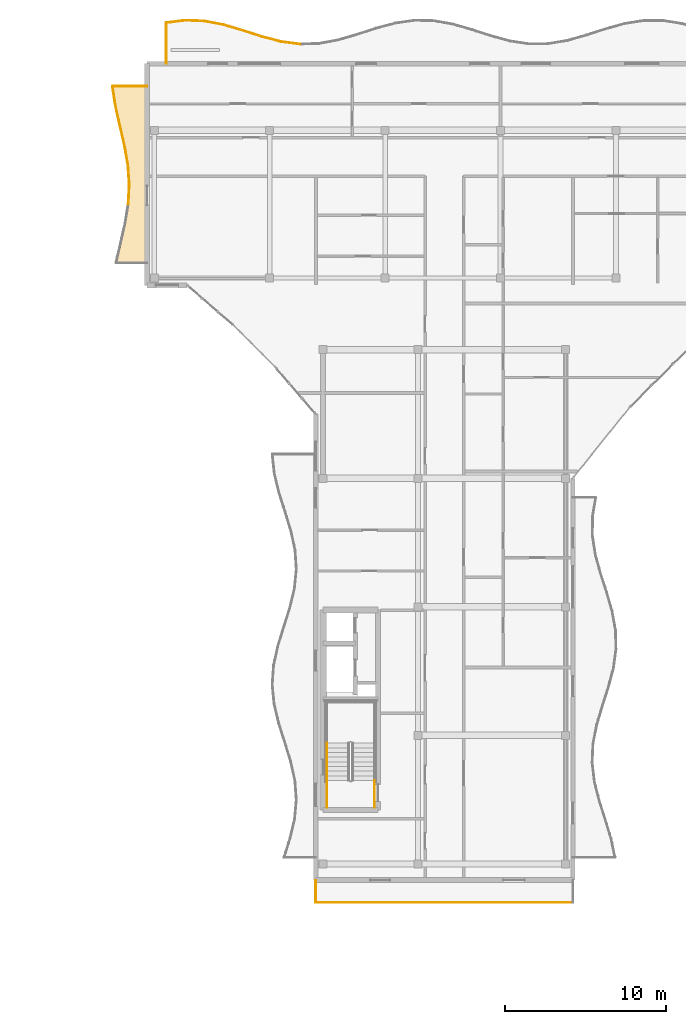
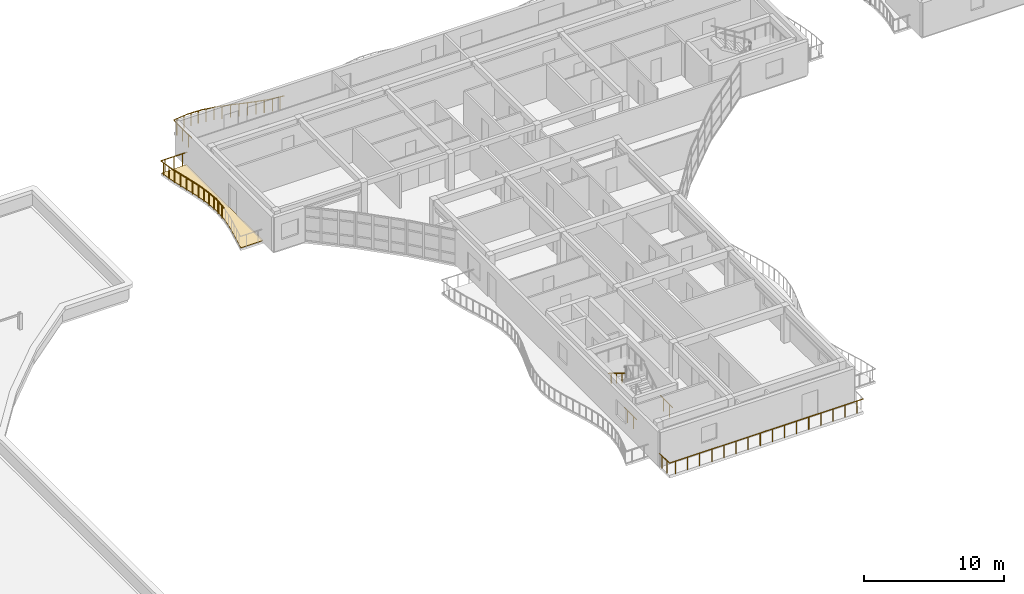
# One storey, part 31 of 39: 20 railings, 1 covering.
"""IFC4 building model written with IfcOpenShell, lengths in metres."""

from ifc_helpers import new_model, si_unit, direction, frame, origin, origin_2d, place, context, subcontext, project, spatial, polyline, circle, outline, extrude, material, layer, layer_set, type_object, element, save


model = new_model("IFC4")

# Units and contexts
model_context = context("Model", 3, precision=1e-05, world=origin(), true_north=direction((0.0, 1.0)))
body_context = subcontext(model_context, "Body", "Model", "MODEL_VIEW")
ifc_project = project(units=[si_unit("LENGTHUNIT", "METRE"), si_unit("AREAUNIT", "SQUARE_METRE"), si_unit("VOLUMEUNIT", "CUBIC_METRE"), si_unit("PLANEANGLEUNIT", "RADIAN"), si_unit("MASSUNIT", "GRAM", prefix="KILO")], contexts=[model_context])

# Site, building, storey
site_placement = place(None, origin())
site = spatial("IfcSite", under=ifc_project, at=site_placement, CompositionType="ELEMENT")
building_placement = place(site_placement, origin())
building = spatial("IfcBuilding", under=site, at=building_placement, Name="Keldmere Railside Commons", CompositionType="ELEMENT")
storey_placement = place(building_placement, frame((0.0, 0.0, 32.9599609375)))
storey = spatial("IfcBuildingStorey", under=building, at=storey_placement, Name="L10", CompositionType="ELEMENT", Elevation=32.9599609375)

# Railings
ifc_material_1 = material(Name="Steel F-24 (S235)", Category="steel")
railing_type_1 = type_object("IfcRailingType", Name="Balcony & Terrace Steel Balustrade 1100", PredefinedType="BALUSTRADE", material=ifc_material_1)
railing_1_placement = place(storey_placement, frame((94.699951171875, 113.800048828125, 0.0)))
element("IfcRailing", 1, at=railing_1_placement, inside=storey, type_object=railing_type_1, Name="GR-1 GRD-L10-2947", PredefinedType="BALUSTRADE", context=body_context, shape_type="SweptSolid", body=[
    extrude(circle(Radius=0.02392578125, at=origin_2d()), frame((0.0, 0.0, 1.076171875), z_axis=(0.0, 1.0, 0.0), x_axis=(-1.0, 0.0, 0.0)), (0.0, 0.0, 1.0), 2.545166015625),
    extrude(circle(Radius=0.02099609375, at=origin_2d()), frame((0.0, 0.42431640625, 0.0)), (0.0, 0.0, 1.0), 1.048095703125),
    extrude(circle(Radius=0.02099609375, at=origin_2d()), frame((0.0, 1.2724609375, 0.0)), (0.0, 0.0, 1.0), 1.048095703125),
    extrude(circle(Radius=0.02099609375, at=origin_2d()), frame((0.0, 2.12109375, 0.0)), (0.0, 0.0, 1.0), 1.048095703125),
])
railing_2_placement = place(storey_placement, frame((94.699951171875, 116.34521484375, 0.0)))
element("IfcRailing", 2, at=railing_2_placement, inside=storey, type_object=railing_type_1, Name="GR-1 GRD-L10-2948", PredefinedType="BALUSTRADE", context=body_context, shape_type="SweptSolid", body=[
    extrude(circle(Radius=0.02392578125, at=origin_2d()), frame((0.0, 0.0, 1.076171875), z_axis=(0.992343582715, 0.123507950529, 0.0), x_axis=(-0.123507950529, 0.992343582715, 0.0)), (0.0, 0.0, 1.0), 1.197998046875),
    extrude(circle(Radius=0.02099609375, at=origin_2d()), frame((0.297119140625, 0.037109375, 0.0)), (0.0, 0.0, 1.0), 1.048095703125),
    extrude(circle(Radius=0.02099609375, at=origin_2d()), frame((0.8916015625, 0.11083984375, 0.0)), (0.0, 0.0, 1.0), 1.048095703125),
])
railing_3_placement = place(storey_placement, frame((95.888671875, 116.4931640625, 0.0)))
element("IfcRailing", 3, at=railing_3_placement, inside=storey, type_object=railing_type_1, Name="GR-1 GRD-L10-2949", PredefinedType="BALUSTRADE", context=body_context, shape_type="SweptSolid", body=[
    extrude(circle(Radius=0.02392578125, at=origin_2d()), frame((0.0, 0.0, 1.076171875), z_axis=(0.999198661851, -0.04002541887, 0.0), x_axis=(0.04002541887, 0.999198661851, 0.0)), (0.0, 0.0, 1.0), 1.189453125),
    extrude(circle(Radius=0.02099609375, at=origin_2d()), frame((0.297119140625, -0.011962890625, 0.0)), (0.0, 0.0, 1.0), 1.048095703125),
    extrude(circle(Radius=0.02099609375, at=origin_2d()), frame((0.891357421875, -0.03564453125, 0.0)), (0.0, 0.0, 1.0), 1.048095703125),
])
railing_4_placement = place(storey_placement, frame((97.0771484375, 116.445556640625, 0.0)))
element("IfcRailing", 4, at=railing_4_placement, inside=storey, type_object=railing_type_1, Name="GR-1 GRD-L10-2950", PredefinedType="BALUSTRADE", context=body_context, shape_type="SweptSolid", body=[
    extrude(circle(Radius=0.02392578125, at=origin_2d()), frame((0.0, 0.0, 1.076171875), z_axis=(0.981711824007, -0.190373040646, 0.0), x_axis=(0.190373040646, 0.981711824007, 0.0)), (0.0, 0.0, 1.0), 1.210693359375),
    extrude(circle(Radius=0.02099609375, at=origin_2d()), frame((0.297119140625, -0.0576171875, 0.0)), (0.0, 0.0, 1.0), 1.048095703125),
    extrude(circle(Radius=0.02099609375, at=origin_2d()), frame((0.891357421875, -0.1728515625, 0.0)), (0.0, 0.0, 1.0), 1.048095703125),
])
railing_5_placement = place(storey_placement, frame((98.265625, 116.215087890625, 0.0)))
element("IfcRailing", 5, at=railing_5_placement, inside=storey, type_object=railing_type_1, Name="GR-1 GRD-L10-2951", PredefinedType="BALUSTRADE", context=body_context, shape_type="SweptSolid", body=[
    extrude(circle(Radius=0.02392578125, at=origin_2d()), frame((0.0, 0.0, 1.076171875), z_axis=(0.958672882034, -0.284510641721, 0.0), x_axis=(0.284510641721, 0.958672882034, 0.0)), (0.0, 0.0, 1.0), 1.239990234375),
    extrude(circle(Radius=0.02099609375, at=origin_2d()), frame((0.297119140625, -0.088134765625, 0.0)), (0.0, 0.0, 1.0), 1.048095703125),
    extrude(circle(Radius=0.02099609375, at=origin_2d()), frame((0.8916015625, -0.2646484375, 0.0)), (0.0, 0.0, 1.0), 1.048095703125),
])
railing_6_placement = place(storey_placement, frame((99.454345703125, 115.8623046875, 0.0)))
element("IfcRailing", 6, at=railing_6_placement, inside=storey, type_object=railing_type_1, Name="GR-1 GRD-L10-2952", PredefinedType="BALUSTRADE", context=body_context, shape_type="SweptSolid", body=[
    extrude(circle(Radius=0.02392578125, at=origin_2d()), frame((0.0, 0.0, 1.076171875), z_axis=(0.951955286162, -0.306237053847, 0.0), x_axis=(0.306237053847, 0.951955286162, 0.0)), (0.0, 0.0, 1.0), 1.24853515625),
    extrude(circle(Radius=0.02099609375, at=origin_2d()), frame((0.297119140625, -0.095703125, 0.0)), (0.0, 0.0, 1.0), 1.048095703125),
    extrude(circle(Radius=0.02099609375, at=origin_2d()), frame((0.891357421875, -0.28662109375, 0.0)), (0.0, 0.0, 1.0), 1.048095703125),
])
railing_7_placement = place(storey_placement, frame((100.642822265625, 115.47998046875, 0.0)))
element("IfcRailing", 7, at=railing_7_placement, inside=storey, type_object=railing_type_1, Name="GR-1 GRD-L10-2953", PredefinedType="BALUSTRADE", context=body_context, shape_type="SweptSolid", body=[
    extrude(circle(Radius=0.02392578125, at=origin_2d()), frame((0.0, 0.0, 1.076171875), z_axis=(0.967369904059, -0.253368247263, 0.0), x_axis=(0.253368247263, 0.967369904059, 0.0)), (0.0, 0.0, 1.0), 1.228515625),
    extrude(circle(Radius=0.02099609375, at=origin_2d()), frame((0.297119140625, -0.077880859375, 0.0)), (0.0, 0.0, 1.0), 1.048095703125),
    extrude(circle(Radius=0.02099609375, at=origin_2d()), frame((0.891357421875, -0.2333984375, 0.0)), (0.0, 0.0, 1.0), 1.048095703125),
])
railing_8_placement = place(storey_placement, frame((101.831298828125, 115.168701171875, 0.0)))
element("IfcRailing", 8, at=railing_8_placement, inside=storey, type_object=railing_type_1, Name="GR-1 GRD-L10-2954", PredefinedType="BALUSTRADE", context=body_context, shape_type="SweptSolid", body=[
    extrude(circle(Radius=0.02392578125, at=origin_2d()), frame((0.0, 0.0, 1.076171875), z_axis=(0.991233233861, -0.132123715091, 0.0), x_axis=(0.132123715091, 0.991233233861, 0.0)), (0.0, 0.0, 1.0), 1.19921875),
    extrude(circle(Radius=0.02099609375, at=origin_2d()), frame((0.297119140625, -0.03955078125, 0.0)), (0.0, 0.0, 1.0), 1.048095703125),
    extrude(circle(Radius=0.02099609375, at=origin_2d()), frame((0.8916015625, -0.118896484375, 0.0)), (0.0, 0.0, 1.0), 1.048095703125),
])
railing_9_placement = place(storey_placement, frame((92.333740234375, 105.066650390625, 0.0)))
element("IfcRailing", 9, at=railing_9_placement, inside=storey, type_object=railing_type_1, Name="GR-1 GRD-L10-3043", PredefinedType="BALUSTRADE", context=body_context, shape_type="SweptSolid", body=[
    extrude(circle(Radius=0.02392578125, at=origin_2d()), frame((0.0, 0.0, 1.076171875), z_axis=(0.053856999167, 0.998548658624, 0.0), x_axis=(-0.998548658624, 0.053856999167, 0.0)), (0.0, 0.0, 1.0), 1.223876953125),
    extrude(circle(Radius=0.02099609375, at=origin_2d()), frame((0.0166015625, 0.3056640625, 0.0)), (0.0, 0.0, 1.0), 1.048095703125),
    extrude(circle(Radius=0.02099609375, at=origin_2d()), frame((0.04931640625, 0.91650390625, 0.0)), (0.0, 0.0, 1.0), 1.048095703125),
])
railing_10_placement = place(storey_placement, frame((92.399658203125, 106.288818359375, 0.0)))
element("IfcRailing", 10, at=railing_10_placement, inside=storey, type_object=railing_type_1, Name="GR-1 GRD-L10-3044", PredefinedType="BALUSTRADE", context=body_context, shape_type="SweptSolid", body=[
    extrude(circle(Radius=0.02392578125, at=origin_2d()), frame((0.0, 0.0, 1.076171875), z_axis=(-0.07093551769, 0.997480903241, 0.0), x_axis=(-0.997480903241, -0.07093551769, 0.0)), (0.0, 0.0, 1.0), 1.225341796875),
    extrude(circle(Radius=0.02099609375, at=origin_2d()), frame((-0.021728515625, 0.3056640625, 0.0)), (0.0, 0.0, 1.0), 1.048095703125),
    extrude(circle(Radius=0.02099609375, at=origin_2d()), frame((-0.065185546875, 0.91650390625, 0.0)), (0.0, 0.0, 1.0), 1.048095703125),
])
railing_11_placement = place(storey_placement, frame((92.312744140625, 107.510986328125, 0.0)))
element("IfcRailing", 11, at=railing_11_placement, inside=storey, type_object=railing_type_1, Name="GR-1 GRD-L10-3045", PredefinedType="BALUSTRADE", context=body_context, shape_type="SweptSolid", body=[
    extrude(circle(Radius=0.02392578125, at=origin_2d()), frame((0.0, 0.0, 1.076171875), z_axis=(-0.173482367162, 0.984836975486, 0.0), x_axis=(-0.984836975486, -0.173482367162, 0.0)), (0.0, 0.0, 1.0), 1.2412109375),
    extrude(circle(Radius=0.02099609375, at=origin_2d()), frame((-0.0537109375, 0.3056640625, 0.0)), (0.0, 0.0, 1.0), 1.048095703125),
    extrude(circle(Radius=0.02099609375, at=origin_2d()), frame((-0.16162109375, 0.916748046875, 0.0)), (0.0, 0.0, 1.0), 1.048095703125),
])
railing_12_placement = place(storey_placement, frame((92.097412109375, 108.7333984375, 0.0)))
element("IfcRailing", 12, at=railing_12_placement, inside=storey, type_object=railing_type_1, Name="GR-1 GRD-L10-3046", PredefinedType="BALUSTRADE", context=body_context, shape_type="SweptSolid", body=[
    extrude(circle(Radius=0.02392578125, at=origin_2d()), frame((0.0, 0.0, 1.076171875), z_axis=(-0.226479152814, 0.974016012877, 0.0), x_axis=(-0.974016012877, -0.226479152814, 0.0)), (0.0, 0.0, 1.0), 1.2548828125),
    extrude(circle(Radius=0.02099609375, at=origin_2d()), frame((-0.071044921875, 0.3056640625, 0.0)), (0.0, 0.0, 1.0), 1.048095703125),
    extrude(circle(Radius=0.02099609375, at=origin_2d()), frame((-0.213134765625, 0.91650390625, 0.0)), (0.0, 0.0, 1.0), 1.048095703125),
])
railing_13_placement = place(storey_placement, frame((91.813232421875, 109.95556640625, 0.0)))
element("IfcRailing", 13, at=railing_13_placement, inside=storey, type_object=railing_type_1, Name="GR-1 GRD-L10-3047", PredefinedType="BALUSTRADE", context=body_context, shape_type="SweptSolid", body=[
    extrude(circle(Radius=0.02392578125, at=origin_2d()), frame((0.0, 0.0, 1.076171875), z_axis=(-0.218705056908, 0.975791011479, 0.0), x_axis=(-0.975791011479, -0.218705056908, 0.0)), (0.0, 0.0, 1.0), 1.25244140625),
    extrude(circle(Radius=0.02099609375, at=origin_2d()), frame((-0.068359375, 0.3056640625, 0.0)), (0.0, 0.0, 1.0), 1.048095703125),
    extrude(circle(Radius=0.02099609375, at=origin_2d()), frame((-0.20556640625, 0.91650390625, 0.0)), (0.0, 0.0, 1.0), 1.048095703125),
])
railing_14_placement = place(storey_placement, frame((91.539306640625, 111.177734375, 0.0)))
element("IfcRailing", 14, at=railing_14_placement, inside=storey, type_object=railing_type_1, Name="GR-1 GRD-L10-3048", PredefinedType="BALUSTRADE", context=body_context, shape_type="SweptSolid", body=[
    extrude(circle(Radius=0.02392578125, at=origin_2d()), frame((0.0, 0.0, 1.076171875), z_axis=(-0.151641726544, 0.988435524843, 0.0), x_axis=(-0.988435524843, -0.151641726544, 0.0)), (0.0, 0.0, 1.0), 1.236572265625),
    extrude(circle(Radius=0.02099609375, at=origin_2d()), frame((-0.046875, 0.3056640625, 0.0)), (0.0, 0.0, 1.0), 1.048095703125),
    extrude(circle(Radius=0.02099609375, at=origin_2d()), frame((-0.140625, 0.91650390625, 0.0)), (0.0, 0.0, 1.0), 1.048095703125),
])
railing_15_placement = place(storey_placement, frame((91.351806640625, 112.39990234375, 0.0)))
element("IfcRailing", 15, at=railing_15_placement, inside=storey, type_object=railing_type_1, Name="GR-1 GRD-L10-3049", PredefinedType="BALUSTRADE", context=body_context, shape_type="SweptSolid", body=[
    extrude(circle(Radius=0.02392578125, at=origin_2d()), frame((0.0, 0.0, 1.076171875), z_axis=(1.0, 0.0, 0.0), x_axis=(0.0, 1.0, 0.0)), (0.0, 0.0, 1.0), 2.148193359375),
    extrude(circle(Radius=0.02099609375, at=origin_2d()), frame((0.35791015625, 0.0, 0.0)), (0.0, 0.0, 1.0), 1.048095703125),
    extrude(circle(Radius=0.02099609375, at=origin_2d()), frame((1.07421875, 0.0, 0.0)), (0.0, 0.0, 1.0), 1.048095703125),
    extrude(circle(Radius=0.02099609375, at=origin_2d()), frame((1.7900390625, 0.0, 0.0)), (0.0, 0.0, 1.0), 1.048095703125),
])
railing_16_placement = place(storey_placement, frame((104.0, 63.0, 0.0)))
element("IfcRailing", 16, at=railing_16_placement, inside=storey, type_object=railing_type_1, Name="GR-1 GRD-L10-3050", PredefinedType="BALUSTRADE", context=body_context, shape_type="SweptSolid", body=[
    extrude(circle(Radius=0.02392578125, at=origin_2d()), frame((0.0, 0.0, 1.076171875), z_axis=(0.0, -1.0, 0.0), x_axis=(1.0, 0.0, 0.0)), (0.0, 0.0, 1.0), 1.39990234375),
    extrude(circle(Radius=0.02099609375, at=origin_2d()), frame((0.0, -0.35009765625, 0.0)), (0.0, 0.0, 1.0), 1.048095703125),
    extrude(circle(Radius=0.02099609375, at=origin_2d()), frame((0.0, -1.0498046875, 0.0)), (0.0, 0.0, 1.0), 1.048095703125),
])
railing_17_placement = place(storey_placement, frame((104.0, 61.60009765625, 0.0)))
element("IfcRailing", 17, at=railing_17_placement, inside=storey, type_object=railing_type_1, Name="GR-1 GRD-L10-3051", PredefinedType="BALUSTRADE", context=body_context, shape_type="SweptSolid", body=[
    extrude(circle(Radius=0.02392578125, at=origin_2d()), frame((0.0, 0.0, 1.076171875), z_axis=(1.0, 0.0, 0.0), x_axis=(0.0, 1.0, 0.0)), (0.0, 0.0, 1.0), 16.0),
    extrude(circle(Radius=0.02099609375, at=origin_2d()), frame((0.5, 0.0, 0.0)), (0.0, 0.0, 1.0), 1.048095703125),
    extrude(circle(Radius=0.02099609375, at=origin_2d()), frame((1.5, 0.0, 0.0)), (0.0, 0.0, 1.0), 1.048095703125),
    extrude(circle(Radius=0.02099609375, at=origin_2d()), frame((2.5, 0.0, 0.0)), (0.0, 0.0, 1.0), 1.048095703125),
    extrude(circle(Radius=0.02099609375, at=origin_2d()), frame((3.5, 0.0, 0.0)), (0.0, 0.0, 1.0), 1.048095703125),
    extrude(circle(Radius=0.02099609375, at=origin_2d()), frame((4.5, 0.0, 0.0)), (0.0, 0.0, 1.0), 1.048095703125),
    extrude(circle(Radius=0.02099609375, at=origin_2d()), frame((5.5, 0.0, 0.0)), (0.0, 0.0, 1.0), 1.048095703125),
    extrude(circle(Radius=0.02099609375, at=origin_2d()), frame((6.5, 0.0, 0.0)), (0.0, 0.0, 1.0), 1.048095703125),
    extrude(circle(Radius=0.02099609375, at=origin_2d()), frame((7.5, 0.0, 0.0)), (0.0, 0.0, 1.0), 1.048095703125),
    extrude(circle(Radius=0.02099609375, at=origin_2d()), frame((8.5, 0.0, 0.0)), (0.0, 0.0, 1.0), 1.048095703125),
    extrude(circle(Radius=0.02099609375, at=origin_2d()), frame((9.5, 0.0, 0.0)), (0.0, 0.0, 1.0), 1.048095703125),
    extrude(circle(Radius=0.02099609375, at=origin_2d()), frame((10.5, 0.0, 0.0)), (0.0, 0.0, 1.0), 1.048095703125),
    extrude(circle(Radius=0.02099609375, at=origin_2d()), frame((11.5, 0.0, 0.0)), (0.0, 0.0, 1.0), 1.048095703125),
    extrude(circle(Radius=0.02099609375, at=origin_2d()), frame((12.5, 0.0, 0.0)), (0.0, 0.0, 1.0), 1.048095703125),
    extrude(circle(Radius=0.02099609375, at=origin_2d()), frame((13.5, 0.0, 0.0)), (0.0, 0.0, 1.0), 1.048095703125),
    extrude(circle(Radius=0.02099609375, at=origin_2d()), frame((14.5, 0.0, 0.0)), (0.0, 0.0, 1.0), 1.048095703125),
    extrude(circle(Radius=0.02099609375, at=origin_2d()), frame((15.5, 0.0, 0.0)), (0.0, 0.0, 1.0), 1.048095703125),
])
railing_type_2 = type_object("IfcRailingType", Name="Stair Well Steel Guardrail 1100", PredefinedType="BALUSTRADE", material=ifc_material_1)
for number, where, name in (
    (18, (107.64990234375, 67.5, 0.0), "L10 ST-B1 stair guard 8"),
    (19, (104.699951171875, 67.5, 0.0), "L10 ST-B1 stair guard 9"),
):
    element("IfcRailing", number, at=place(storey_placement, frame(where)), inside=storey, type_object=railing_type_2, Name=name, PredefinedType="BALUSTRADE", context=body_context, shape_type="SweptSolid", body=[
        extrude(circle(Radius=0.02392578125, at=origin_2d()), frame((0.0, 0.0, 1.076171875), z_axis=(0.0, 1.0, 0.0), x_axis=(-1.0, 0.0, 0.0)), (0.0, 0.0, 1.0), 1.699951171875),
        extrude(circle(Radius=0.02099609375, at=origin_2d()), frame((0.0, 0.425048828125, 0.0)), (0.0, 0.0, 1.0), 1.048095703125),
        extrude(circle(Radius=0.02099609375, at=origin_2d()), frame((0.0, 1.27490234375, 0.0)), (0.0, 0.0, 1.0), 1.048095703125),
    ])
railing_type_3 = type_object("IfcRailingType", Name="Wall-Mounted Tubular Steel Handrail 900", PredefinedType="HANDRAIL", material=ifc_material_1)
railing_18_placement = place(storey_placement, frame((104.699951171875, 71.52001953125, 1.77783203125)))
element("IfcRailing", 20, at=railing_18_placement, inside=storey, type_object=railing_type_3, Name="L10 ST-B1 stair handrail 2", PredefinedType="HANDRAIL", context=body_context, shape_type="SweptSolid", body=[
    extrude(circle(Radius=0.02392578125, at=origin_2d()), frame((0.0, 0.0, 0.8759765625), z_axis=(0.0, -0.852578041948, 0.522599925744), x_axis=(1.0, 0.0, 0.0)), (0.0, 0.0, 1.0), 2.72119140625),
    extrude(circle(Radius=0.02099609375, at=origin_2d()), frame((0.0, -0.38671875, 0.237060546875)), (0.0, 0.0, 1.0), 0.847900390625),
    extrude(circle(Radius=0.02099609375, at=origin_2d()), frame((0.0, -1.16015625, 0.7109375)), (0.0, 0.0, 1.0), 0.847900390625),
    extrude(circle(Radius=0.02099609375, at=origin_2d()), frame((0.0, -1.933349609375, 1.18505859375)), (0.0, 0.0, 1.0), 0.847900390625),
])

# Covering
ifc_material_2 = material(Name="White Precast Concrete C35/45", Category="concrete")
ifc_layer = layer(ifc_material_2, 0.044921875, Name="White Architectural Balcony Ribbon Cladding 45")
ifc_layer_set = layer_set([ifc_layer], Name="White Precast Concrete C35/45")
covering_type = type_object("IfcCoveringType", Name="White Architectural Balcony Ribbon Cladding 45", PredefinedType="FLOORING", material=ifc_layer_set)
covering_placement = place(storey_placement, origin())
element("IfcCovering", 21, at=covering_placement, inside=storey, type_object=covering_type, Name="CLG-WB B L10 WW White Balcony Ribbon", PredefinedType="FLOORING", context=body_context, shape_type="SweptSolid", body=[
    extrude(outline(polyline([(93.4599609375, 112.360107421875), (91.3984375, 112.360107421875), (91.57861328125, 111.185302734375), (91.852294921875, 109.964599609375), (92.136474609375, 108.742431640625), (92.13671875, 108.740234375), (92.352294921875, 107.51806640625), (92.352783203125, 107.513916015625), (92.439453125, 106.291748046875), (92.439453125, 106.28662109375), (92.373779296875, 105.064453125), (92.373291015625, 105.060302734375), (92.173095703125, 103.837890625), (92.172607421875, 103.83544921875), (91.893798828125, 102.61328125), (91.893798828125, 102.61328125), (91.62451171875, 101.43994140625), (93.4599609375, 101.43994140625), (93.4599609375, 112.360107421875)])), origin(), (0.0, 0.0, 1.0), 0.044921875),
])

save(model, "model.ifc")
